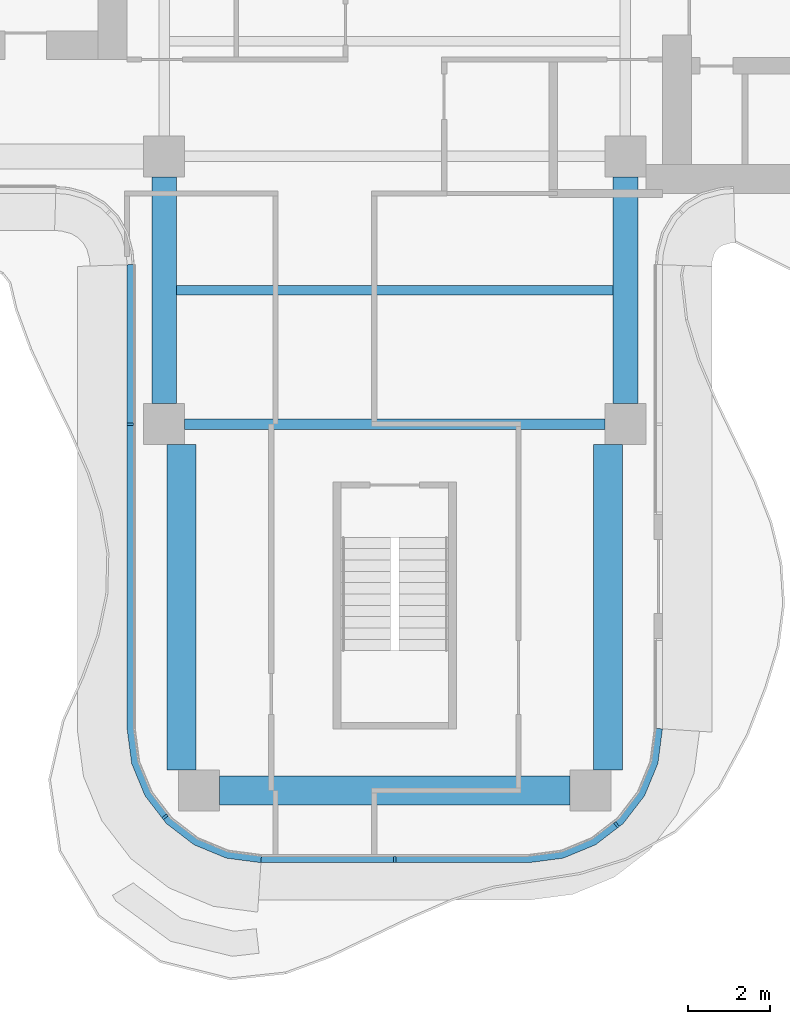
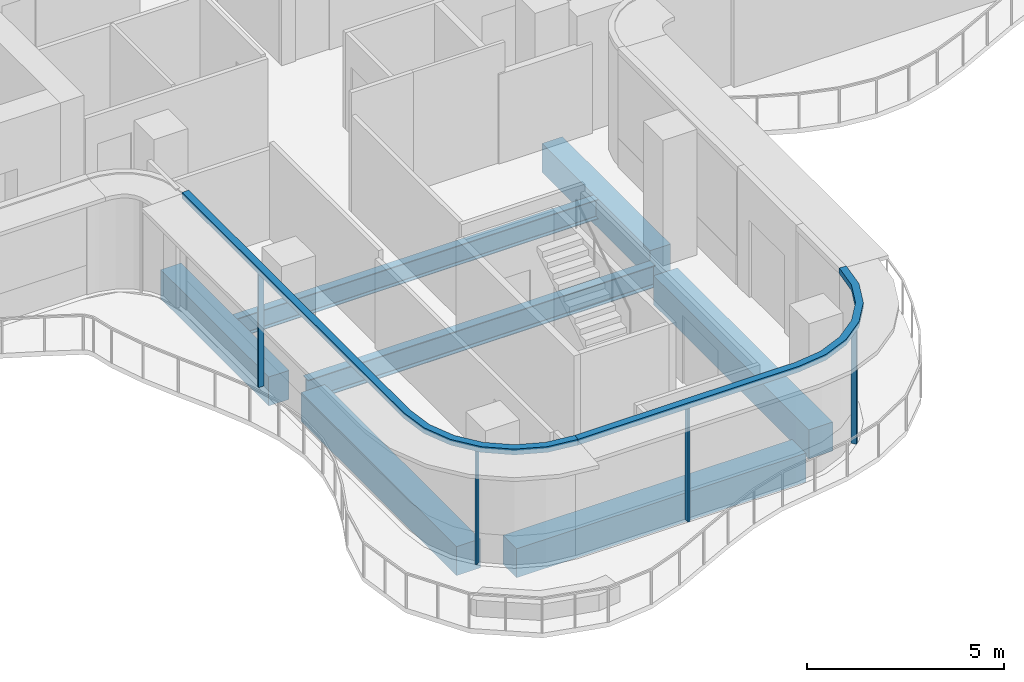
# One storey, part 2 of 16: 7 beams, 6 members, 2 elements without a shape of their own.
"""IFC4 building model written with IfcOpenShell, lengths in metres."""

import ifcopenshell
import ifcopenshell.guid

model = None  # the IFC model being written
_history = None  # IfcOwnerHistory: only IFC2X3 demands one
_inside = {}  # id of a spatial element -> (the spatial element, [elements in it])
_under = {}  # id of a project, library or spatial element -> (it, [spatial elements below it])
_declared = {}  # id of a project -> (the project, [libraries it declares])
_typed = {}  # id of a type object -> (the type object, [elements of that type])
_made_of = {}  # id of a material, layer set ... -> (it, [elements and type objects made of it])


def new_model(schema):
    """Start an empty IFC model of exactly this schema.

    Asked for "IFC4X3", IfcOpenShell would pick the latest addendum, in which some entities
    have other attributes; the version numbers below select the first issue.
    IFC2X3 requires an IfcOwnerHistory on every rooted entity: one is made here for all.
    """
    global model, _history
    if schema == "IFC4X3":
        model = ifcopenshell.file(schema_version=(4, 3, 0, 0))
    else:
        model = ifcopenshell.file(schema=schema)
    _inside.clear()
    _under.clear()
    _declared.clear()
    _typed.clear()
    _made_of.clear()
    _history = None
    if model.schema == "IFC2X3":
        org = make("IfcOrganization", Name="unknown")
        user = make(
            "IfcPersonAndOrganization",
            ThePerson=make("IfcPerson", FamilyName="unknown"),
            TheOrganization=org,
        )
        app = make(
            "IfcApplication",
            ApplicationDeveloper=org,
            Version="unknown",
            ApplicationFullName="unknown",
            ApplicationIdentifier="unknown",
        )
        _history = make(
            "IfcOwnerHistory",
            OwningUser=user,
            OwningApplication=app,
            ChangeAction="ADDED",
            CreationDate=0,
        )
    return model


def make(cls, **values):
    """One entity of the class cls with the attributes given. An attribute that is None is left unset."""
    return model.create_entity(
        cls, **{name: value for name, value in values.items() if value is not None}
    )


def rooted(cls, **values):
    """An entity with a GlobalId (a new one), such as an element, a storey or a relation."""
    return make(cls, GlobalId=ifcopenshell.guid.new(), OwnerHistory=_history, **values)


def si_unit(unit_type, name, prefix=None):
    """IfcSIUnit, for example si_unit("LENGTHUNIT", "METRE", prefix="MILLI")."""
    return make("IfcSIUnit", UnitType=unit_type, Prefix=prefix, Name=name)


def assignment(units):
    """IfcUnitAssignment: the units of a project."""
    return None if units is None else make("IfcUnitAssignment", Units=units)


def point(xyz):
    """IfcCartesianPoint."""
    return None if xyz is None else make("IfcCartesianPoint", Coordinates=xyz)


def direction(xyz):
    """IfcDirection."""
    return None if xyz is None else make("IfcDirection", DirectionRatios=xyz)


def frame(location, z_axis=None, x_axis=None):
    """IfcAxis2Placement3D, a coordinate frame: its origin and axes. An axis left out is left unset."""
    return make(
        "IfcAxis2Placement3D",
        Location=point(location),
        Axis=direction(z_axis),
        RefDirection=direction(x_axis),
    )


def frame_2d(location, x_axis=None):
    """IfcAxis2Placement2D, a coordinate frame in the plane: its origin and x axis."""
    return make(
        "IfcAxis2Placement2D", Location=point(location), RefDirection=direction(x_axis)
    )


def origin():
    """The frame at (0, 0, 0) with its axes left unset."""
    return frame((0.0, 0.0, 0.0))


def origin_2d():
    """The frame at (0, 0) in the plane with its x axis left unset."""
    return frame_2d((0.0, 0.0))


def place(relative_to, where):
    """IfcLocalPlacement: puts the frame where relative to a parent placement (None: the world)."""
    return make(
        "IfcLocalPlacement", PlacementRelTo=relative_to, RelativePlacement=where
    )


def context(
    kind, dimensions, precision=None, world=None, true_north=None, identifier=None
):
    """IfcGeometricRepresentationContext, for example the 3D "Model" context."""
    return make(
        "IfcGeometricRepresentationContext",
        ContextIdentifier=identifier,
        ContextType=kind,
        CoordinateSpaceDimension=dimensions,
        Precision=precision,
        WorldCoordinateSystem=world,
        TrueNorth=true_north,
    )


def subcontext(parent, identifier, kind, view, scale=None):
    """IfcGeometricRepresentationSubContext, for example "Body" below "Model"."""
    return make(
        "IfcGeometricRepresentationSubContext",
        ContextIdentifier=identifier,
        ContextType=kind,
        ParentContext=parent,
        TargetScale=scale,
        TargetView=view,
    )


def project(units=None, contexts=None):
    """IfcProject with its units and contexts."""
    return rooted(
        "IfcProject",
        Name="project",
        RepresentationContexts=contexts,
        UnitsInContext=assignment(units),
    )


def spatial(cls, under=None, at=None, **own):
    """A site, building, storey or space (cls), placed at a placement, below another one or the project."""
    s = rooted(cls, ObjectPlacement=at, **own)
    if under is not None:
        _under.setdefault(under.id(), (under, []))[1].append(s)
    return s


def polyline(points):
    """IfcPolyline through the points."""
    return make("IfcPolyline", Points=[point(p) for p in points])


def profile(cls, at=None, kind="AREA", **sizes):
    """A parametric profile (cls). Its sizes go by their IFC names, for example OverallWidth=200.0."""
    return make(cls, ProfileType=kind, Position=at, **sizes)


def rectangle(**sizes):
    """IfcRectangleProfileDef."""
    return profile("IfcRectangleProfileDef", **sizes)


def i_section(**sizes):
    """IfcIShapeProfileDef."""
    return profile("IfcIShapeProfileDef", **sizes)


def outline(outer, holes=None, kind="AREA"):
    """IfcArbitraryClosedProfileDef: a profile drawn as a closed curve; with holes, ...WithVoids."""
    if holes is None:
        return make("IfcArbitraryClosedProfileDef", ProfileType=kind, OuterCurve=outer)
    return make(
        "IfcArbitraryProfileDefWithVoids",
        ProfileType=kind,
        OuterCurve=outer,
        InnerCurves=holes,
    )


def extrude(swept, where, along, depth):
    """IfcExtrudedAreaSolid: the profile swept, set in the frame where, extruded along a direction by depth."""
    return make(
        "IfcExtrudedAreaSolid",
        SweptArea=swept,
        Position=where,
        ExtrudedDirection=direction(along),
        Depth=depth,
    )


def shape(context_of_items, identifier, shape_type, items):
    """IfcShapeRepresentation: the items that make up one representation, for example the "Body"."""
    return make(
        "IfcShapeRepresentation",
        ContextOfItems=context_of_items,
        RepresentationIdentifier=identifier,
        RepresentationType=shape_type,
        Items=items,
    )


def source(mapping_origin, context_of_items, identifier, shape_type, items):
    """IfcRepresentationMap: a shape defined once, which mapped items show again and again."""
    return make(
        "IfcRepresentationMap",
        MappingOrigin=mapping_origin,
        MappedRepresentation=shape(context_of_items, identifier, shape_type, items),
    )


def transform(
    local_origin,
    x_axis=None,
    y_axis=None,
    z_axis=None,
    scale=None,
    scale2=None,
    scale3=None,
    uniform=True,
):
    """IfcCartesianTransformationOperator3D, or its non-uniform kind. x_axis, y_axis, z_axis: its Axis1, 2, 3."""
    if uniform:
        return make(
            "IfcCartesianTransformationOperator3D",
            Axis1=direction(x_axis),
            Axis2=direction(y_axis),
            LocalOrigin=point(local_origin),
            Scale=scale,
            Axis3=direction(z_axis),
        )
    return make(
        "IfcCartesianTransformationOperator3DnonUniform",
        Axis1=direction(x_axis),
        Axis2=direction(y_axis),
        LocalOrigin=point(local_origin),
        Scale=scale,
        Axis3=direction(z_axis),
        Scale2=scale2,
        Scale3=scale3,
    )


def mapped(mapping_source, mapping_target):
    """IfcMappedItem: shows the shape of a source again, moved by a transform."""
    return make(
        "IfcMappedItem", MappingSource=mapping_source, MappingTarget=mapping_target
    )


def material(Name=None, Category=None):
    """IfcMaterial."""
    return make("IfcMaterial", Name=Name, Category=Category)


def layer(
    of_material, thickness, ventilated=None, Name=None, Category=None, Priority=None
):
    """IfcMaterialLayer: one layer of a wall or slab, of a material (None: an air gap)."""
    return make(
        "IfcMaterialLayer",
        Material=of_material,
        LayerThickness=thickness,
        IsVentilated=ventilated,
        Name=Name,
        Category=Category,
        Priority=Priority,
    )


def layer_set(layers, Name=None):
    """IfcMaterialLayerSet."""
    return make("IfcMaterialLayerSet", MaterialLayers=layers, LayerSetName=Name)


def material_profile(
    of_material, cross_section, Name=None, Category=None, Priority=None
):
    """IfcMaterialProfile: a cross section and its material."""
    return make(
        "IfcMaterialProfile",
        Name=Name,
        Material=of_material,
        Profile=cross_section,
        Priority=Priority,
        Category=Category,
    )


def profile_set(profiles, Name=None, composite=None):
    """IfcMaterialProfileSet."""
    return make(
        "IfcMaterialProfileSet",
        Name=Name,
        MaterialProfiles=profiles,
        CompositeProfile=composite,
    )


def made_of(thing, what):
    """Note that an element or type object is made of a material, layer set ...; save() writes the relation."""
    if what is not None:
        _made_of.setdefault(what.id(), (what, []))[1].append(thing)
    return thing


def type_object(cls, material=None, **own):
    """A type object (cls), such as IfcWallType, which elements share."""
    return made_of(rooted(cls, **own), material)


def element(
    cls,
    number,
    at=None,
    inside=None,
    cuts=None,
    type_object=None,
    material=None,
    context=None,
    identifier="Body",
    shape_type=None,
    held_by="IfcProductDefinitionShape",
    body=None,
    shapes=None,
    **own,
):
    """One element of the class cls, such as IfcWall. Its Tag is "e" and its number.

    at: its placement. inside: the storey or other place that contains it. cuts: it is an
    opening in that element (IfcRelVoidsElement). A single representation is given by context,
    identifier, shape_type and body (its items); several are given by shapes. held_by: the class
    of the entity that holds the representations. save() writes the other relations.
    """
    e = rooted(cls, Tag="e%d" % number, ObjectPlacement=at, **own)
    if body is not None:
        shapes = [shape(context, identifier, shape_type, body)]
    if shapes is not None:
        e.Representation = make(held_by, Representations=shapes)
    if inside is not None:
        _inside.setdefault(inside.id(), (inside, []))[1].append(e)
    if cuts is not None:
        rooted(
            "IfcRelVoidsElement", RelatingBuildingElement=cuts, RelatedOpeningElement=e
        )
    if type_object is not None:
        _typed.setdefault(type_object.id(), (type_object, []))[1].append(e)
    return made_of(e, material)


def aggregate(whole, parts):
    """IfcRelAggregates: a whole, such as a stair, and the parts it consists of."""
    return rooted("IfcRelAggregates", RelatingObject=whole, RelatedObjects=parts)


def save(model, path):
    """Write the relations noted so far, then the file.

    IfcRelAggregates (storeys below a building ...), IfcRelContainedInSpatialStructure (elements
    in a storey), IfcRelDefinesByType, IfcRelAssociatesMaterial and IfcRelDeclares: one each for
    every whole, place, type object, material and project.
    """
    for whole, parts in _under.values():
        aggregate(whole, parts)
    for where, things in _inside.values():
        rooted(
            "IfcRelContainedInSpatialStructure",
            RelatedElements=things,
            RelatingStructure=where,
        )
    for kind, things in _typed.values():
        rooted("IfcRelDefinesByType", RelatedObjects=things, RelatingType=kind)
    for what, things in _made_of.values():
        rooted("IfcRelAssociatesMaterial", RelatedObjects=things, RelatingMaterial=what)
    for by, libraries in _declared.values():
        rooted("IfcRelDeclares", RelatingContext=by, RelatedDefinitions=libraries)
    model.write(path)


model = new_model("IFC4")

# Units and contexts
model_context = context("Model", 3, precision=1e-05, world=origin(), true_north=direction((0.0, 1.0)))
body_context = subcontext(model_context, "Body", "Model", "MODEL_VIEW")
ifc_project = project(units=[si_unit("LENGTHUNIT", "METRE"), si_unit("AREAUNIT", "SQUARE_METRE"), si_unit("VOLUMEUNIT", "CUBIC_METRE"), si_unit("PLANEANGLEUNIT", "RADIAN"), si_unit("MASSUNIT", "GRAM", prefix="KILO")], contexts=[model_context])

# Site, building, storey
site_placement = place(None, origin())
site = spatial("IfcSite", under=ifc_project, at=site_placement, CompositionType="ELEMENT")
building_placement = place(site_placement, origin())
building = spatial("IfcBuilding", under=site, at=building_placement, Name="Trellis Farm Tower", CompositionType="ELEMENT")
storey_placement = place(building_placement, frame((0.0, 0.0, 322.300048828125)))
storey = spatial("IfcBuildingStorey", under=building, at=storey_placement, Name="L73", CompositionType="ELEMENT", Elevation=322.300048828125)

# Beams
ifc_material_1 = material(Name="Steel S355", Category="steel")
ifc_material_profile_1 = material_profile(ifc_material_1, i_section(OverallWidth=0.22900390625, OverallDepth=0.6123046875, WebThickness=0.011962890625, FlangeThickness=0.01953125, FilletRadius=0.0126953125, at=origin_2d()), Name="UB 610x229x125")
ifc_profile_set_1 = profile_set([ifc_material_profile_1], Name="Steel S355")
beam_type_1 = type_object("IfcBeamType", Name="UB 610x229x125 joist", PredefinedType="JOIST", material=ifc_profile_set_1)
shared_shape_1 = source(origin(), body_context, "Body", "SweptSolid", [
    extrude(i_section(OverallWidth=0.22900390625, OverallDepth=0.6123046875, WebThickness=0.011962890625, FlangeThickness=0.01953125, FilletRadius=0.0126953125, at=origin_2d()), origin(), (0.0, 0.0, 1.0), 10.60009765625),
])
beam_1_placement = place(storey_placement, frame((-5.300048828125, -8.85009765625, -0.506103515625), z_axis=(1.0, 0.0, 0.0), x_axis=(0.0, 1.0, 0.0)))
element("IfcBeam", 1, at=beam_1_placement, inside=storey, type_object=beam_type_1, Name="Floor beam", PredefinedType="JOIST", context=body_context, shape_type="MappedRepresentation", body=[
    mapped(shared_shape_1, transform((0.0, 0.0, 0.0))),
])
ifc_material_profile_2 = material_profile(ifc_material_1, i_section(OverallWidth=0.253662109375, OverallDepth=0.68359375, WebThickness=0.012451171875, FlangeThickness=0.021728515625, FilletRadius=0.01513671875, at=origin_2d()), Name="UB 686x254x140")
ifc_profile_set_2 = profile_set([ifc_material_profile_2], Name="Steel S355")
beam_type_2 = type_object("IfcBeamType", Name="UB 686x254x140", PredefinedType="BEAM", material=ifc_profile_set_2)
shared_shape_2 = source(origin(), body_context, "Body", "SweptSolid", [
    extrude(i_section(OverallWidth=0.253662109375, OverallDepth=0.68359375, WebThickness=0.012451171875, FlangeThickness=0.021728515625, FilletRadius=0.01513671875, at=origin_2d()), origin(), (0.0, 0.0, 1.0), 10.2001953125),
])
beam_2_placement = place(storey_placement, frame((-5.10009765625, -12.10009765625, -0.541748046875), z_axis=(1.0, 0.0, 0.0), x_axis=(0.0, 1.0, 0.0)))
element("IfcBeam", 2, at=beam_2_placement, inside=storey, type_object=beam_type_2, Name="Girder", PredefinedType="BEAM", context=body_context, shape_type="MappedRepresentation", body=[
    mapped(shared_shape_2, transform((0.0, 0.0, 0.0))),
])
ifc_material_2 = material(Name="Concrete C60/75", Category="concrete")
ifc_material_profile_3 = material_profile(ifc_material_2, rectangle(XDim=0.60009765625, YDim=0.89990234375, at=origin_2d()), Name="RC spandrel beam 600x900 C60/75")
ifc_profile_set_3 = profile_set([ifc_material_profile_3], Name="Concrete C60/75")
beam_type_3 = type_object("IfcBeamType", Name="RC spandrel beam 600x900 C60/75", PredefinedType="SPANDREL", material=ifc_profile_set_3)
shared_shape_3 = source(origin(), body_context, "Body", "SweptSolid", [
    extrude(rectangle(XDim=0.60009765625, YDim=0.89990234375, at=origin_2d()), origin(), (0.0, 0.0, 1.0), 5.5),
])
for number, where, z_axis, x_axis, name in (
    (3, (-5.60009765625, -11.60009765625, -0.650146484375), (0.0, 1.0, 0.0), (-1.0, 0.0, 0.0), "Girder"),
    (4, (5.60009765625, -11.60009765625, -0.650146484375), (0.0, 1.0, 0.0), (-1.0, 0.0, 0.0), "Girder"),
):
    element("IfcBeam", number, at=place(storey_placement, frame(where, z_axis=z_axis, x_axis=x_axis)), inside=storey, type_object=beam_type_3, Name=name, PredefinedType="SPANDREL", context=body_context, shape_type="MappedRepresentation", body=[
        mapped(shared_shape_3, transform((0.0, 0.0, 0.0))),
    ])
ifc_material_profile_4 = material_profile(ifc_material_2, rectangle(XDim=0.699951171875, YDim=0.89990234375, at=origin_2d()), Name="RC spandrel beam 700x900 C60/75")
ifc_profile_set_4 = profile_set([ifc_material_profile_4], Name="Concrete C60/75")
beam_type_4 = type_object("IfcBeamType", Name="RC spandrel beam 700x900 C60/75", PredefinedType="SPANDREL", material=ifc_profile_set_4)
shared_shape_4 = source(origin(), body_context, "Body", "SweptSolid", [
    extrude(rectangle(XDim=0.699951171875, YDim=0.89990234375, at=origin_2d()), origin(), (0.0, 0.0, 1.0), 8.5),
])
beam_3_placement = place(storey_placement, frame((-4.25, -21.0, -0.650146484375), z_axis=(1.0, 0.0, 0.0), x_axis=(0.0, 1.0, 0.0)))
element("IfcBeam", 5, at=beam_3_placement, inside=storey, type_object=beam_type_4, Name="Girder", PredefinedType="SPANDREL", context=body_context, shape_type="MappedRepresentation", body=[
    mapped(shared_shape_4, transform((0.0, 0.0, 0.0))),
])
shared_shape_5 = source(origin(), body_context, "Body", "SweptSolid", [
    extrude(rectangle(XDim=0.699951171875, YDim=0.89990234375, at=origin_2d()), origin(), (0.0, 0.0, 1.0), 7.89990234375),
])
for number, where, z_axis, x_axis, name in (
    (6, (-5.175048828125, -20.5, -0.650146484375), (0.0, 1.0, 0.0), (-1.0, 0.0, 0.0), "Girder"),
    (7, (5.175048828125, -20.5, -0.650146484375), (0.0, 1.0, 0.0), (-1.0, 0.0, 0.0), "Girder"),
):
    element("IfcBeam", number, at=place(storey_placement, frame(where, z_axis=z_axis, x_axis=x_axis)), inside=storey, type_object=beam_type_4, Name=name, PredefinedType="SPANDREL", context=body_context, shape_type="MappedRepresentation", body=[
        mapped(shared_shape_5, transform((0.0, 0.0, 0.0))),
    ])

# Curtain wall, members
ifc_material_3 = material(Name="Aluminium and glass curtain wall", Category="aluminium")
ifc_layer_1 = layer(ifc_material_3, 0.18994140625)
ifc_layer_set_1 = layer_set([ifc_layer_1], Name="RIBBON CURTAIN WALL CW1")
curtain_wall_type = type_object("IfcCurtainWallType", Name="RIBBON CURTAIN WALL CW1", PredefinedType="NOTDEFINED", material=ifc_layer_set_1)
placement_1 = place(storey_placement, origin())
curtain_wall_1 = element("IfcCurtainWall", 8, at=placement_1, inside=storey, type_object=curtain_wall_type, Name="CW1 002", PredefinedType="NOTDEFINED")
ifc_material_4 = material(Name="Aluminium extrusion 6063-T6", Category="aluminium")
ifc_material_profile_5 = material_profile(ifc_material_4, rectangle(XDim=0.06005859375, YDim=0.14990234375, at=origin_2d()), Name="MULLION 60x150")
ifc_profile_set_5 = profile_set([ifc_material_profile_5], Name="Aluminium extrusion 6063-T6")
member_type_1 = type_object("IfcMemberType", Name="CW1 MULLION 60x150", PredefinedType="MULLION", material=ifc_profile_set_5)
shared_shape_6 = source(origin(), body_context, "Body", "SweptSolid", [
    extrude(rectangle(XDim=0.06005859375, YDim=0.14990234375, at=origin_2d()), origin(), (0.0, 0.0, 1.0), 3.52001953125),
])
member_1_placement = place(storey_placement, frame((-6.425048828125, -12.10009765625, 0.0), z_axis=(0.0, 0.0, 1.0), x_axis=(0.0, -1.0, 0.0)))
member_1 = element("IfcMember", 9, at=member_1_placement, type_object=member_type_1, Name="MU1 002-01", PredefinedType="MULLION", context=body_context, shape_type="MappedRepresentation", body=[
    mapped(shared_shape_6, transform((0.0, 0.0, 0.0))),
])
member_2_placement = place(storey_placement, frame((-5.578369140625, -21.635498046875, 0.0), z_axis=(0.0, 0.0, 1.0), x_axis=(0.608761429009, -0.793353340291, 0.0)))
member_2 = element("IfcMember", 10, at=member_2_placement, type_object=member_type_1, Name="MU1 002-02", PredefinedType="MULLION", context=body_context, shape_type="MappedRepresentation", body=[
    mapped(shared_shape_6, transform((0.0, 0.0, 0.0))),
])

curtain_wall_2 = element("IfcCurtainWall", 11, at=placement_1, inside=storey, type_object=curtain_wall_type, Name="CW1 003", PredefinedType="NOTDEFINED")
member_3_placement = place(storey_placement, frame((0.0, -22.675048828125, 0.0), z_axis=(0.0, 0.0, 1.0), x_axis=(1.0, 0.0, 0.0)))
member_3 = element("IfcMember", 12, at=member_3_placement, type_object=member_type_1, Name="MU1 003-01", PredefinedType="MULLION", context=body_context, shape_type="MappedRepresentation", body=[
    mapped(shared_shape_6, transform((0.0, 0.0, 0.0))),
])
member_4_placement = place(storey_placement, frame((5.385498046875, -21.828369140625, 0.0), z_axis=(0.0, 0.0, 1.0), x_axis=(0.793353340291, 0.608761429009, 0.0)))
member_4 = element("IfcMember", 13, at=member_4_placement, type_object=member_type_1, Name="MU1 003-02", PredefinedType="MULLION", context=body_context, shape_type="MappedRepresentation", body=[
    mapped(shared_shape_6, transform((0.0, 0.0, 0.0))),
])

# Member
ifc_layer_2 = layer(ifc_material_4, 0.199951171875)
ifc_layer_set_2 = layer_set([ifc_layer_2], Name="Aluminium extrusion 6063-T6")
member_type_2 = type_object("IfcMemberType", Name="CW1 TRANSOM 200x180", PredefinedType="USERDEFINED", material=ifc_layer_set_2)
shared_shape_7 = source(origin(), body_context, "Body", "SweptSolid", [
    extrude(outline(polyline([(-6.5, -8.2314453125), (-6.5, -19.5), (-6.38916015625, -20.341064453125), (-6.064697265625, -21.125), (-5.548095703125, -21.798095703125), (-4.875, -22.314697265625), (-4.091064453125, -22.63916015625), (-3.25, -22.75), (-3.23681640625, -22.550048828125), (-4.0390625, -22.4443359375), (-4.774169921875, -22.139892578125), (-5.405517578125, -21.655517578125), (-5.889892578125, -21.024169921875), (-6.1943359375, -20.2890625), (-6.300048828125, -19.48681640625), (-6.300048828125, -8.224853515625), (-6.5, -8.2314453125)])), origin(), (0.0, 0.0, 1.0), 0.179931640625),
])
placement_2 = place(storey_placement, frame((0.0, 0.0, 3.52001953125)))
member_5 = element("IfcMember", 14, at=placement_2, type_object=member_type_2, Name="TR1 002", ObjectType="TRANSOM", PredefinedType="USERDEFINED", context=body_context, shape_type="MappedRepresentation", body=[
    mapped(shared_shape_7, transform((0.0, 0.0, 0.0))),
])

aggregate(curtain_wall_1, [member_1, member_2, member_5])

shared_shape_8 = source(origin(), body_context, "Body", "SweptSolid", [
    extrude(outline(polyline([(-3.25, -22.75), (3.25, -22.75), (4.091064453125, -22.63916015625), (4.875, -22.314697265625), (5.548095703125, -21.798095703125), (6.064697265625, -21.125), (6.38916015625, -20.341064453125), (6.5, -19.5), (6.300048828125, -19.48681640625), (6.1943359375, -20.2890625), (5.889892578125, -21.024169921875), (5.405517578125, -21.655517578125), (4.774169921875, -22.139892578125), (4.0390625, -22.4443359375), (3.23681640625, -22.550048828125), (-3.23681640625, -22.550048828125), (-3.25, -22.75)])), origin(), (0.0, 0.0, 1.0), 0.179931640625),
])
member_6 = element("IfcMember", 15, at=placement_2, type_object=member_type_2, Name="TR1 003", ObjectType="TRANSOM", PredefinedType="USERDEFINED", context=body_context, shape_type="MappedRepresentation", body=[
    mapped(shared_shape_8, transform((0.0, 0.0, 0.0))),
])

aggregate(curtain_wall_2, [member_3, member_4, member_6])

save(model, "model.ifc")
